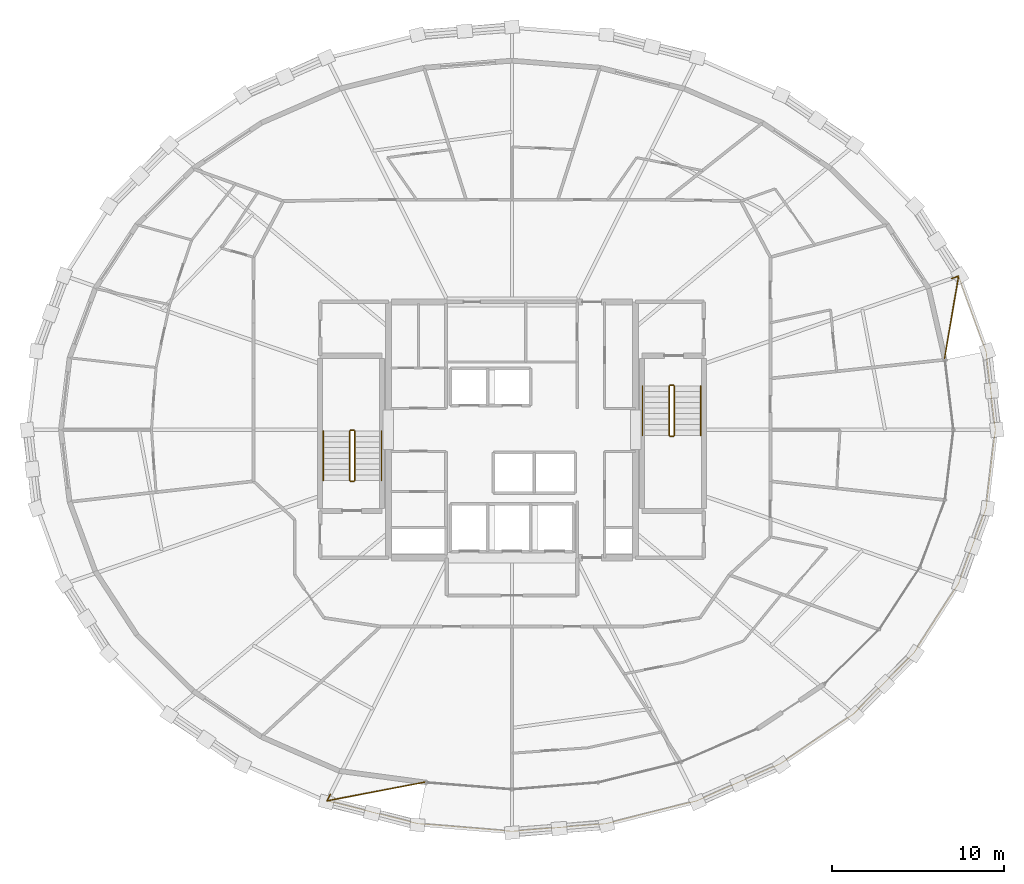
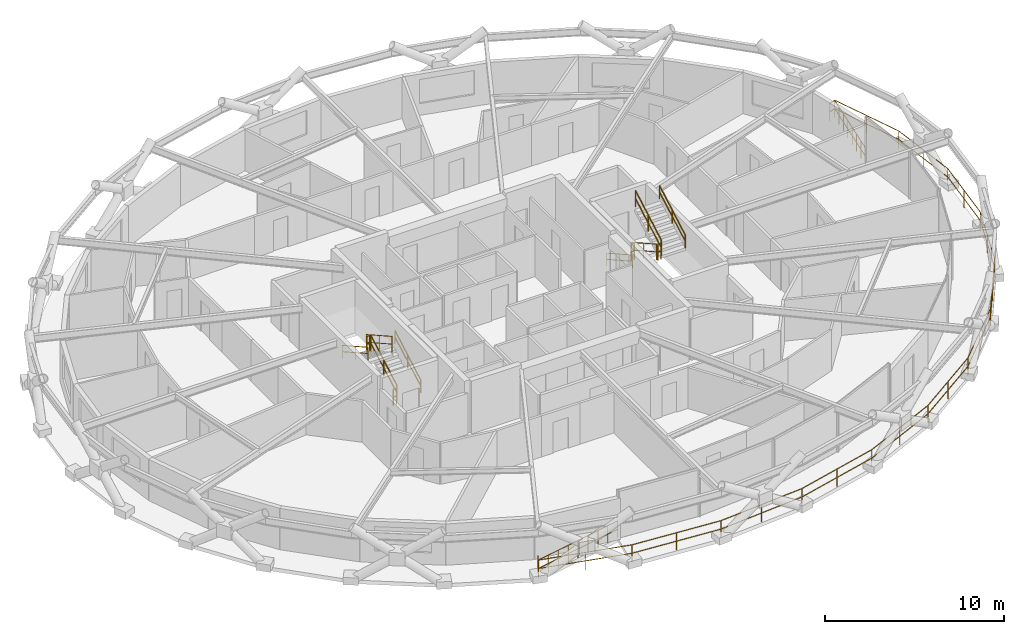
# One storey, part 19 of 19: 15 railings.
"""IFC4 building model written with IfcOpenShell, lengths in metres."""

from ifc_helpers import new_model, si_unit, direction, frame, origin, origin_2d, place, context, subcontext, project, spatial, circle, extrude, material, type_object, element, save


model = new_model("IFC4")

# Units and contexts
model_context = context("Model", 3, precision=1e-05, world=origin(), true_north=direction((0.0, 1.0)))
body_context = subcontext(model_context, "Body", "Model", "MODEL_VIEW")
ifc_project = project(units=[si_unit("LENGTHUNIT", "METRE"), si_unit("AREAUNIT", "SQUARE_METRE"), si_unit("VOLUMEUNIT", "CUBIC_METRE"), si_unit("PLANEANGLEUNIT", "RADIAN"), si_unit("MASSUNIT", "GRAM", prefix="KILO")], contexts=[model_context])

# Site, building, storey
site_placement = place(None, origin())
site = spatial("IfcSite", under=ifc_project, at=site_placement, CompositionType="ELEMENT")
building_placement = place(site_placement, origin())
building = spatial("IfcBuilding", under=site, at=building_placement, Name="Veldorina Hangang Commons", CompositionType="ELEMENT")
storey_placement = place(building_placement, frame((0.0, 0.0, 156.800048828125)))
storey = spatial("IfcBuildingStorey", under=building, at=storey_placement, Name="L40", CompositionType="ELEMENT", Elevation=156.800048828125)

# Railings
ifc_material_1 = material(Name="Glass Laminated Safety Balustrade", Category="glass")
railing_type_1 = type_object("IfcRailingType", Name="RL-BAL-LOGGIA", PredefinedType="BALUSTRADE", material=ifc_material_1)
railing_1_placement = place(storey_placement, frame((21.41796875, 2.769287109375, 0.0)))
element("IfcRailing", 1, at=railing_1_placement, inside=storey, type_object=railing_type_1, Name="L40 sky-garden loggia end balustrade A", PredefinedType="BALUSTRADE", context=body_context, shape_type="SweptSolid", body=[
    extrude(circle(Radius=0.02392578125, at=origin_2d()), frame((0.0, 0.0, 1.17578125), z_axis=(-0.445818053749, -0.895123602052, 0.0), x_axis=(0.895123602052, -0.445818053749, 0.0)), (0.0, 0.0, 1.0), 0.419921875),
    extrude(circle(Radius=0.02392578125, at=origin_2d()), frame((0.0, 0.0, 0.60009765625), z_axis=(-0.445818053749, -0.895123602052, 0.0), x_axis=(0.895123602052, -0.445818053749, 0.0)), (0.0, 0.0, 1.0), 0.419921875),
    extrude(circle(Radius=0.02392578125, at=origin_2d()), frame((-0.187255859375, -0.3759765625, 1.17578125), z_axis=(0.982151593727, 0.188091060234, 0.0), x_axis=(-0.188091060234, 0.982151593727, 0.0)), (0.0, 0.0, 1.0), 5.866943359375),
    extrude(circle(Radius=0.02392578125, at=origin_2d()), frame((-0.187255859375, -0.3759765625, 0.60009765625), z_axis=(0.982151593727, 0.188091060234, 0.0), x_axis=(-0.188091060234, 0.982151593727, 0.0)), (0.0, 0.0, 1.0), 5.866943359375),
    extrude(circle(Radius=0.02099609375, at=origin_2d()), origin(), (0.0, 0.0, 1.0), 1.15185546875),
    extrude(circle(Radius=0.02099609375, at=origin_2d()), frame((-0.187255859375, -0.3759765625, 0.0)), (0.0, 0.0, 1.0), 1.15185546875),
    extrude(circle(Radius=0.02099609375, at=origin_2d()), frame((0.532958984375, -0.238037109375, 0.0)), (0.0, 0.0, 1.0), 1.15185546875),
    extrude(circle(Radius=0.02099609375, at=origin_2d()), frame((1.25341796875, -0.10009765625, 0.0)), (0.0, 0.0, 1.0), 1.15185546875),
    extrude(circle(Radius=0.02099609375, at=origin_2d()), frame((1.9736328125, 0.037841796875, 0.0)), (0.0, 0.0, 1.0), 1.15185546875),
    extrude(circle(Radius=0.02099609375, at=origin_2d()), frame((2.69384765625, 0.17578125, 0.0)), (0.0, 0.0, 1.0), 1.15185546875),
    extrude(circle(Radius=0.02099609375, at=origin_2d()), frame((3.4140625, 0.313720703125, 0.0)), (0.0, 0.0, 1.0), 1.15185546875),
    extrude(circle(Radius=0.02099609375, at=origin_2d()), frame((4.13427734375, 0.45166015625, 0.0)), (0.0, 0.0, 1.0), 1.15185546875),
    extrude(circle(Radius=0.02099609375, at=origin_2d()), frame((4.854736328125, 0.589599609375, 0.0)), (0.0, 0.0, 1.0), 1.15185546875),
    extrude(circle(Radius=0.02099609375, at=origin_2d()), frame((5.574951171875, 0.7275390625, 0.0)), (0.0, 0.0, 1.0), 1.15185546875),
])
railing_2_placement = place(storey_placement, frame((57.61279296875, 32.816650390625, 0.0)))
element("IfcRailing", 2, at=railing_2_placement, inside=storey, type_object=railing_type_1, Name="L40 sky-garden loggia end balustrade B", PredefinedType="BALUSTRADE", context=body_context, shape_type="SweptSolid", body=[
    extrude(circle(Radius=0.02392578125, at=origin_2d()), frame((0.0, 0.0, 1.17578125), z_axis=(0.945558110535, 0.325453314013, 0.0), x_axis=(-0.325453314013, 0.945558110535, 0.0)), (0.0, 0.0, 1.0), 0.420166015625),
    extrude(circle(Radius=0.02392578125, at=origin_2d()), frame((0.0, 0.0, 0.60009765625), z_axis=(0.945558110535, 0.325453314013, 0.0), x_axis=(-0.325453314013, 0.945558110535, 0.0)), (0.0, 0.0, 1.0), 0.420166015625),
    extrude(circle(Radius=0.02392578125, at=origin_2d()), frame((0.397216796875, 0.13671875, 1.17578125), z_axis=(-0.167609413025, -0.985853480323, 0.0), x_axis=(0.985853480323, -0.167609413025, 0.0)), (0.0, 0.0, 1.0), 4.943603515625),
    extrude(circle(Radius=0.02392578125, at=origin_2d()), frame((0.397216796875, 0.13671875, 0.60009765625), z_axis=(-0.167609413025, -0.985853480323, 0.0), x_axis=(0.985853480323, -0.167609413025, 0.0)), (0.0, 0.0, 1.0), 4.943603515625),
    extrude(circle(Radius=0.02099609375, at=origin_2d()), origin(), (0.0, 0.0, 1.0), 1.15185546875),
    extrude(circle(Radius=0.02099609375, at=origin_2d()), frame((0.397216796875, 0.13671875, 0.0)), (0.0, 0.0, 1.0), 1.15185546875),
    extrude(circle(Radius=0.02099609375, at=origin_2d()), frame((0.27880859375, -0.5595703125, 0.0)), (0.0, 0.0, 1.0), 1.15185546875),
    extrude(circle(Radius=0.02099609375, at=origin_2d()), frame((0.160400390625, -1.255859375, 0.0)), (0.0, 0.0, 1.0), 1.15185546875),
    extrude(circle(Radius=0.02099609375, at=origin_2d()), frame((0.0419921875, -1.9521484375, 0.0)), (0.0, 0.0, 1.0), 1.15185546875),
    extrude(circle(Radius=0.02099609375, at=origin_2d()), frame((-0.076171875, -2.648193359375, 0.0)), (0.0, 0.0, 1.0), 1.15185546875),
    extrude(circle(Radius=0.02099609375, at=origin_2d()), frame((-0.194580078125, -3.344482421875, 0.0)), (0.0, 0.0, 1.0), 1.15185546875),
    extrude(circle(Radius=0.02099609375, at=origin_2d()), frame((-0.31298828125, -4.040771484375, 0.0)), (0.0, 0.0, 1.0), 1.15185546875),
    extrude(circle(Radius=0.02099609375, at=origin_2d()), frame((-0.431396484375, -4.737060546875, 0.0)), (0.0, 0.0, 1.0), 1.15185546875),
])
railing_3_placement = place(storey_placement, frame((21.230712890625, 2.393310546875, 0.0)))
element("IfcRailing", 3, at=railing_3_placement, inside=storey, type_object=railing_type_1, Name="L40 sky-garden loggia outer balustrade", PredefinedType="BALUSTRADE", context=body_context, shape_type="SweptSolid", body=[
    extrude(circle(Radius=0.02392578125, at=origin_2d()), frame((0.0, 0.0, 1.17578125), z_axis=(0.969742875139, -0.244128564729, 0.0), x_axis=(0.244128564729, 0.969742875139, 0.0)), (0.0, 0.0, 1.0), 5.4443359375),
    extrude(circle(Radius=0.02392578125, at=origin_2d()), frame((0.0, 0.0, 0.60009765625), z_axis=(0.969742875139, -0.244128564729, 0.0), x_axis=(0.244128564729, 0.969742875139, 0.0)), (0.0, 0.0, 1.0), 5.4443359375),
    extrude(circle(Radius=0.02392578125, at=origin_2d()), frame((5.279541015625, -1.3291015625, 1.17578125), z_axis=(0.996675954384, -0.081468042522, 0.0), x_axis=(0.081468042522, 0.996675954384, 0.0)), (0.0, 0.0, 1.0), 5.508056640625),
    extrude(circle(Radius=0.02392578125, at=origin_2d()), frame((5.279541015625, -1.3291015625, 0.60009765625), z_axis=(0.996675954384, -0.081468042522, 0.0), x_axis=(0.081468042522, 0.996675954384, 0.0)), (0.0, 0.0, 1.0), 5.508056640625),
    extrude(circle(Radius=0.02392578125, at=origin_2d()), frame((10.769287109375, -1.77783203125, 1.17578125), z_axis=(0.996675954384, 0.081468042522, 0.0), x_axis=(-0.081468042522, 0.996675954384, 0.0)), (0.0, 0.0, 1.0), 5.508056640625),
    extrude(circle(Radius=0.02392578125, at=origin_2d()), frame((10.769287109375, -1.77783203125, 0.60009765625), z_axis=(0.996675954384, 0.081468042522, 0.0), x_axis=(-0.081468042522, 0.996675954384, 0.0)), (0.0, 0.0, 1.0), 5.508056640625),
    extrude(circle(Radius=0.02392578125, at=origin_2d()), frame((16.259033203125, -1.3291015625, 1.17578125), z_axis=(0.969742875139, 0.244128564729, 0.0), x_axis=(-0.244128564729, 0.969742875139, 0.0)), (0.0, 0.0, 1.0), 5.4443359375),
    extrude(circle(Radius=0.02392578125, at=origin_2d()), frame((16.259033203125, -1.3291015625, 0.60009765625), z_axis=(0.969742875139, 0.244128564729, 0.0), x_axis=(-0.244128564729, 0.969742875139, 0.0)), (0.0, 0.0, 1.0), 5.4443359375),
    extrude(circle(Radius=0.02392578125, at=origin_2d()), frame((21.53857421875, 0.0, 1.17578125), z_axis=(0.91409116634, 0.405508741729, 0.0), x_axis=(-0.405508741729, 0.91409116634, 0.0)), (0.0, 0.0, 1.0), 5.32470703125),
    extrude(circle(Radius=0.02392578125, at=origin_2d()), frame((21.53857421875, 0.0, 0.60009765625), z_axis=(0.91409116634, 0.405508741729, 0.0), x_axis=(-0.405508741729, 0.91409116634, 0.0)), (0.0, 0.0, 1.0), 5.32470703125),
    extrude(circle(Radius=0.02392578125, at=origin_2d()), frame((26.40576171875, 2.1591796875, 1.17578125), z_axis=(0.826465366548, 0.562987564602, 0.0), x_axis=(-0.562987564602, 0.826465366548, 0.0)), (0.0, 0.0, 1.0), 5.1630859375),
    extrude(circle(Radius=0.02392578125, at=origin_2d()), frame((26.40576171875, 2.1591796875, 0.60009765625), z_axis=(0.826465366548, 0.562987564602, 0.0), x_axis=(-0.562987564602, 0.826465366548, 0.0)), (0.0, 0.0, 1.0), 5.1630859375),
    extrude(circle(Radius=0.02392578125, at=origin_2d()), frame((30.6728515625, 5.06591796875, 1.17578125), z_axis=(0.703028223531, 0.711161948447, 0.0), x_axis=(-0.711161948447, 0.703028223531, 0.0)), (0.0, 0.0, 1.0), 4.982666015625),
    extrude(circle(Radius=0.02392578125, at=origin_2d()), frame((30.6728515625, 5.06591796875, 0.60009765625), z_axis=(0.703028223531, 0.711161948447, 0.0), x_axis=(-0.711161948447, 0.703028223531, 0.0)), (0.0, 0.0, 1.0), 4.982666015625),
    extrude(circle(Radius=0.02392578125, at=origin_2d()), frame((34.17578125, 8.609375, 1.17578125), z_axis=(0.541321894792, 0.840815441235, 0.0), x_axis=(-0.840815441235, 0.541321894792, 0.0)), (0.0, 0.0, 1.0), 4.8095703125),
    extrude(circle(Radius=0.02392578125, at=origin_2d()), frame((34.17578125, 8.609375, 0.60009765625), z_axis=(0.541321894792, 0.840815441235, 0.0), x_axis=(-0.840815441235, 0.541321894792, 0.0)), (0.0, 0.0, 1.0), 4.8095703125),
    extrude(circle(Radius=0.02392578125, at=origin_2d()), frame((36.779296875, 12.6533203125, 1.17578125), z_axis=(0.343185861071, 0.939267515014, 0.0), x_axis=(-0.939267515014, 0.343185861071, 0.0)), (0.0, 0.0, 1.0), 4.67236328125),
    extrude(circle(Radius=0.02392578125, at=origin_2d()), frame((36.779296875, 12.6533203125, 0.60009765625), z_axis=(0.343185861071, 0.939267515014, 0.0), x_axis=(-0.939267515014, 0.343185861071, 0.0)), (0.0, 0.0, 1.0), 4.67236328125),
    extrude(circle(Radius=0.02392578125, at=origin_2d()), frame((38.3828125, 17.0419921875, 1.17578125), z_axis=(0.11775027327, 0.993043238306, 0.0), x_axis=(-0.993043238306, 0.11775027327, 0.0)), (0.0, 0.0, 1.0), 4.5966796875),
    extrude(circle(Radius=0.02392578125, at=origin_2d()), frame((38.3828125, 17.0419921875, 0.60009765625), z_axis=(0.11775027327, 0.993043238306, 0.0), x_axis=(-0.993043238306, 0.11775027327, 0.0)), (0.0, 0.0, 1.0), 4.5966796875),
    extrude(circle(Radius=0.02392578125, at=origin_2d()), frame((38.924072265625, 21.606689453125, 1.17578125), z_axis=(-0.11775027327, 0.993043238306, 0.0), x_axis=(-0.993043238306, -0.11775027327, 0.0)), (0.0, 0.0, 1.0), 4.5966796875),
    extrude(circle(Radius=0.02392578125, at=origin_2d()), frame((38.924072265625, 21.606689453125, 0.60009765625), z_axis=(-0.11775027327, 0.993043238306, 0.0), x_axis=(-0.993043238306, -0.11775027327, 0.0)), (0.0, 0.0, 1.0), 4.5966796875),
    extrude(circle(Radius=0.02392578125, at=origin_2d()), frame((38.3828125, 26.17138671875, 1.17578125), z_axis=(-0.343185861071, 0.939267515014, 0.0), x_axis=(-0.939267515014, -0.343185861071, 0.0)), (0.0, 0.0, 1.0), 4.67236328125),
    extrude(circle(Radius=0.02392578125, at=origin_2d()), frame((38.3828125, 26.17138671875, 0.60009765625), z_axis=(-0.343185861071, 0.939267515014, 0.0), x_axis=(-0.939267515014, -0.343185861071, 0.0)), (0.0, 0.0, 1.0), 4.67236328125),
    extrude(circle(Radius=0.02099609375, at=origin_2d()), origin(), (0.0, 0.0, 1.0), 1.15185546875),
    extrude(circle(Radius=0.02099609375, at=origin_2d()), frame((2.6396484375, -0.66455078125, 0.0)), (0.0, 0.0, 1.0), 1.15185546875),
    extrude(circle(Radius=0.02099609375, at=origin_2d()), frame((5.279541015625, -1.3291015625, 0.0)), (0.0, 0.0, 1.0), 1.15185546875),
    extrude(circle(Radius=0.02099609375, at=origin_2d()), frame((8.0244140625, -1.553466796875, 0.0)), (0.0, 0.0, 1.0), 1.15185546875),
    extrude(circle(Radius=0.02099609375, at=origin_2d()), frame((10.769287109375, -1.77783203125, 0.0)), (0.0, 0.0, 1.0), 1.15185546875),
    extrude(circle(Radius=0.02099609375, at=origin_2d()), frame((13.51416015625, -1.553466796875, 0.0)), (0.0, 0.0, 1.0), 1.15185546875),
    extrude(circle(Radius=0.02099609375, at=origin_2d()), frame((16.259033203125, -1.3291015625, 0.0)), (0.0, 0.0, 1.0), 1.15185546875),
    extrude(circle(Radius=0.02099609375, at=origin_2d()), frame((18.89892578125, -0.66455078125, 0.0)), (0.0, 0.0, 1.0), 1.15185546875),
    extrude(circle(Radius=0.02099609375, at=origin_2d()), frame((21.53857421875, 0.0, 0.0)), (0.0, 0.0, 1.0), 1.15185546875),
    extrude(circle(Radius=0.02099609375, at=origin_2d()), frame((23.97216796875, 1.07958984375, 0.0)), (0.0, 0.0, 1.0), 1.15185546875),
    extrude(circle(Radius=0.02099609375, at=origin_2d()), frame((26.40576171875, 2.1591796875, 0.0)), (0.0, 0.0, 1.0), 1.15185546875),
    extrude(circle(Radius=0.02099609375, at=origin_2d()), frame((28.539306640625, 3.612548828125, 0.0)), (0.0, 0.0, 1.0), 1.15185546875),
    extrude(circle(Radius=0.02099609375, at=origin_2d()), frame((30.6728515625, 5.06591796875, 0.0)), (0.0, 0.0, 1.0), 1.15185546875),
    extrude(circle(Radius=0.02099609375, at=origin_2d()), frame((32.42431640625, 6.837646484375, 0.0)), (0.0, 0.0, 1.0), 1.15185546875),
    extrude(circle(Radius=0.02099609375, at=origin_2d()), frame((34.17578125, 8.609375, 0.0)), (0.0, 0.0, 1.0), 1.15185546875),
    extrude(circle(Radius=0.02099609375, at=origin_2d()), frame((35.4775390625, 10.63134765625, 0.0)), (0.0, 0.0, 1.0), 1.15185546875),
    extrude(circle(Radius=0.02099609375, at=origin_2d()), frame((36.779296875, 12.6533203125, 0.0)), (0.0, 0.0, 1.0), 1.15185546875),
    extrude(circle(Radius=0.02099609375, at=origin_2d()), frame((37.5810546875, 14.84765625, 0.0)), (0.0, 0.0, 1.0), 1.15185546875),
    extrude(circle(Radius=0.02099609375, at=origin_2d()), frame((38.3828125, 17.0419921875, 0.0)), (0.0, 0.0, 1.0), 1.15185546875),
    extrude(circle(Radius=0.02099609375, at=origin_2d()), frame((38.6533203125, 19.32421875, 0.0)), (0.0, 0.0, 1.0), 1.15185546875),
    extrude(circle(Radius=0.02099609375, at=origin_2d()), frame((38.924072265625, 21.606689453125, 0.0)), (0.0, 0.0, 1.0), 1.15185546875),
    extrude(circle(Radius=0.02099609375, at=origin_2d()), frame((38.6533203125, 23.88916015625, 0.0)), (0.0, 0.0, 1.0), 1.15185546875),
    extrude(circle(Radius=0.02099609375, at=origin_2d()), frame((38.3828125, 26.17138671875, 0.0)), (0.0, 0.0, 1.0), 1.15185546875),
    extrude(circle(Radius=0.02099609375, at=origin_2d()), frame((37.5810546875, 28.36572265625, 0.0)), (0.0, 0.0, 1.0), 1.15185546875),
    extrude(circle(Radius=0.02099609375, at=origin_2d()), frame((36.779296875, 30.56005859375, 0.0)), (0.0, 0.0, 1.0), 1.15185546875),
])
ifc_material_2 = material(Name="Steel Painted Balustrade", Category="steel")
railing_type_2 = type_object("IfcRailingType", Name="RL-GRD-STAIR", PredefinedType="GUARDRAIL", material=ifc_material_2)
railing_4_placement = place(storey_placement, frame((22.85009765625, 21.050048828125, 0.179931640625)))
element("IfcRailing", 4, at=railing_4_placement, inside=storey, type_object=railing_type_2, Name="L40 ST-1 stair guard 1", PredefinedType="GUARDRAIL", context=body_context, shape_type="SweptSolid", body=[
    extrude(circle(Radius=0.02392578125, at=origin_2d()), frame((0.0, 0.0, 1.076171875), z_axis=(0.0, 0.87155185771, 0.490303333991), x_axis=(-1.0, 0.0, 0.0)), (0.0, 0.0, 1.0), 3.30419921875),
    extrude(circle(Radius=0.02392578125, at=origin_2d()), frame((0.0, 0.0, 0.550048828125), z_axis=(0.0, 0.87155185771, 0.490303333991), x_axis=(-1.0, 0.0, 0.0)), (0.0, 0.0, 1.0), 3.30419921875),
    extrude(circle(Radius=0.02099609375, at=origin_2d()), origin(), (0.0, 0.0, 1.0), 1.052001953125),
    extrude(circle(Radius=0.02099609375, at=origin_2d()), frame((0.0, 1.43994140625, 0.81005859375)), (0.0, 0.0, 1.0), 1.052001953125),
    extrude(circle(Radius=0.02099609375, at=origin_2d()), frame((0.0, 2.8798828125, 1.6201171875)), (0.0, 0.0, 1.0), 1.052001953125),
])
railing_5_placement = place(storey_placement, frame((22.800048828125, 23.97998046875, 1.800048828125)))
element("IfcRailing", 5, at=railing_5_placement, inside=storey, type_object=railing_type_2, Name="L40 ST-1 stair guard 2", PredefinedType="GUARDRAIL", context=body_context, shape_type="SweptSolid", body=[
    extrude(circle(Radius=0.02392578125, at=origin_2d()), frame((0.0, 0.0, 1.076171875), z_axis=(-1.0, 0.0, 0.0), x_axis=(0.0, -1.0, 0.0)), (0.0, 0.0, 1.0), 0.199951171875),
    extrude(circle(Radius=0.02392578125, at=origin_2d()), frame((0.0, 0.0, 0.550048828125), z_axis=(-1.0, 0.0, 0.0), x_axis=(0.0, -1.0, 0.0)), (0.0, 0.0, 1.0), 0.199951171875),
    extrude(circle(Radius=0.02099609375, at=origin_2d()), origin(), (0.0, 0.0, 1.0), 1.052001953125),
    extrude(circle(Radius=0.02099609375, at=origin_2d()), frame((-0.199951171875, 0.0, 0.0)), (0.0, 0.0, 1.0), 1.052001953125),
])
railing_6_placement = place(storey_placement, frame((22.550048828125, 23.929931640625, 1.97998046875)))
element("IfcRailing", 6, at=railing_6_placement, inside=storey, type_object=railing_type_2, Name="L40 ST-1 stair guard 3", PredefinedType="GUARDRAIL", context=body_context, shape_type="SweptSolid", body=[
    extrude(circle(Radius=0.02392578125, at=origin_2d()), frame((0.0, 0.0, 1.076171875), z_axis=(0.0, -0.871583430097, 0.490247207417), x_axis=(1.0, 0.0, 0.0)), (0.0, 0.0, 1.0), 3.30419921875),
    extrude(circle(Radius=0.02392578125, at=origin_2d()), frame((0.0, 0.0, 0.550048828125), z_axis=(0.0, -0.871583430097, 0.490247207417), x_axis=(1.0, 0.0, 0.0)), (0.0, 0.0, 1.0), 3.30419921875),
    extrude(circle(Radius=0.02099609375, at=origin_2d()), origin(), (0.0, 0.0, 1.0), 1.052001953125),
    extrude(circle(Radius=0.02099609375, at=origin_2d()), frame((0.0, -1.43994140625, 0.81005859375)), (0.0, 0.0, 1.0), 1.052001953125),
    extrude(circle(Radius=0.02099609375, at=origin_2d()), frame((0.0, -2.8798828125, 1.619873046875)), (0.0, 0.0, 1.0), 1.052001953125),
])
railing_7_placement = place(storey_placement, frame((22.800048828125, 21.0, 0.0)))
element("IfcRailing", 7, at=railing_7_placement, inside=storey, type_object=railing_type_2, Name="L40 ST-1 stair guard 4", PredefinedType="GUARDRAIL", context=body_context, shape_type="SweptSolid", body=[
    extrude(circle(Radius=0.02392578125, at=origin_2d()), frame((0.0, 0.0, 1.076171875), z_axis=(-1.0, 0.0, 0.0), x_axis=(0.0, -1.0, 0.0)), (0.0, 0.0, 1.0), 0.199951171875),
    extrude(circle(Radius=0.02392578125, at=origin_2d()), frame((0.0, 0.0, 0.550048828125), z_axis=(-1.0, 0.0, 0.0), x_axis=(0.0, -1.0, 0.0)), (0.0, 0.0, 1.0), 0.199951171875),
    extrude(circle(Radius=0.02099609375, at=origin_2d()), origin(), (0.0, 0.0, 1.0), 1.052001953125),
    extrude(circle(Radius=0.02099609375, at=origin_2d()), frame((-0.199951171875, 0.0, 0.0)), (0.0, 0.0, 1.0), 1.052001953125),
])
railing_8_placement = place(storey_placement, frame((41.14990234375, 26.550048828125, 0.179931640625)))
element("IfcRailing", 8, at=railing_8_placement, inside=storey, type_object=railing_type_2, Name="L40 ST-2 stair guard 1", PredefinedType="GUARDRAIL", context=body_context, shape_type="SweptSolid", body=[
    extrude(circle(Radius=0.02392578125, at=origin_2d()), frame((0.0, 0.0, 1.076171875), z_axis=(0.0, -0.871569617843, 0.490271762652), x_axis=(1.0, 0.0, 0.0)), (0.0, 0.0, 1.0), 3.304443359375),
    extrude(circle(Radius=0.02392578125, at=origin_2d()), frame((0.0, 0.0, 0.550048828125), z_axis=(0.0, -0.871569617843, 0.490271762652), x_axis=(1.0, 0.0, 0.0)), (0.0, 0.0, 1.0), 3.304443359375),
    extrude(circle(Radius=0.02099609375, at=origin_2d()), origin(), (0.0, 0.0, 1.0), 1.052001953125),
    extrude(circle(Radius=0.02099609375, at=origin_2d()), frame((0.0, -1.43994140625, 0.81005859375)), (0.0, 0.0, 1.0), 1.052001953125),
    extrude(circle(Radius=0.02099609375, at=origin_2d()), frame((0.0, -2.880126953125, 1.6201171875)), (0.0, 0.0, 1.0), 1.052001953125),
])
railing_9_placement = place(storey_placement, frame((41.199951171875, 23.6201171875, 1.800048828125)))
element("IfcRailing", 9, at=railing_9_placement, inside=storey, type_object=railing_type_2, Name="L40 ST-2 stair guard 2", PredefinedType="GUARDRAIL", context=body_context, shape_type="SweptSolid", body=[
    extrude(circle(Radius=0.02392578125, at=origin_2d()), frame((0.0, 0.0, 1.076171875), z_axis=(1.0, 0.0, 0.0), x_axis=(0.0, 1.0, 0.0)), (0.0, 0.0, 1.0), 0.199951171875),
    extrude(circle(Radius=0.02392578125, at=origin_2d()), frame((0.0, 0.0, 0.550048828125), z_axis=(1.0, 0.0, 0.0), x_axis=(0.0, 1.0, 0.0)), (0.0, 0.0, 1.0), 0.199951171875),
    extrude(circle(Radius=0.02099609375, at=origin_2d()), origin(), (0.0, 0.0, 1.0), 1.052001953125),
    extrude(circle(Radius=0.02099609375, at=origin_2d()), frame((0.199951171875, 0.0, 0.0)), (0.0, 0.0, 1.0), 1.052001953125),
])
railing_10_placement = place(storey_placement, frame((41.449951171875, 23.669921875, 1.97998046875)))
element("IfcRailing", 10, at=railing_10_placement, inside=storey, type_object=railing_type_2, Name="L40 ST-2 stair guard 3", PredefinedType="GUARDRAIL", context=body_context, shape_type="SweptSolid", body=[
    extrude(circle(Radius=0.02392578125, at=origin_2d()), frame((0.0, 0.0, 1.076171875), z_axis=(0.0, 0.871601186807, 0.490215637405), x_axis=(-1.0, 0.0, 0.0)), (0.0, 0.0, 1.0), 3.304443359375),
    extrude(circle(Radius=0.02392578125, at=origin_2d()), frame((0.0, 0.0, 0.550048828125), z_axis=(0.0, 0.871601186807, 0.490215637405), x_axis=(-1.0, 0.0, 0.0)), (0.0, 0.0, 1.0), 3.304443359375),
    extrude(circle(Radius=0.02099609375, at=origin_2d()), origin(), (0.0, 0.0, 1.0), 1.052001953125),
    extrude(circle(Radius=0.02099609375, at=origin_2d()), frame((0.0, 1.43994140625, 0.81005859375)), (0.0, 0.0, 1.0), 1.052001953125),
    extrude(circle(Radius=0.02099609375, at=origin_2d()), frame((0.0, 2.880126953125, 1.619873046875)), (0.0, 0.0, 1.0), 1.052001953125),
])
railing_11_placement = place(storey_placement, frame((41.199951171875, 26.60009765625, 0.0)))
element("IfcRailing", 11, at=railing_11_placement, inside=storey, type_object=railing_type_2, Name="L40 ST-2 stair guard 4", PredefinedType="GUARDRAIL", context=body_context, shape_type="SweptSolid", body=[
    extrude(circle(Radius=0.02392578125, at=origin_2d()), frame((0.0, 0.0, 1.076171875), z_axis=(1.0, 0.0, 0.0), x_axis=(0.0, 1.0, 0.0)), (0.0, 0.0, 1.0), 0.199951171875),
    extrude(circle(Radius=0.02392578125, at=origin_2d()), frame((0.0, 0.0, 0.550048828125), z_axis=(1.0, 0.0, 0.0), x_axis=(0.0, 1.0, 0.0)), (0.0, 0.0, 1.0), 0.199951171875),
    extrude(circle(Radius=0.02099609375, at=origin_2d()), origin(), (0.0, 0.0, 1.0), 1.052001953125),
    extrude(circle(Radius=0.02099609375, at=origin_2d()), frame((0.199951171875, 0.0, 0.0)), (0.0, 0.0, 1.0), 1.052001953125),
])
ifc_material_3 = material(Name="Stainless Steel Brushed 316", Category="steel")
railing_type_3 = type_object("IfcRailingType", Name="RL-HND-STAIR", PredefinedType="HANDRAIL", material=ifc_material_3)
railing_12_placement = place(storey_placement, frame((24.39990234375, 21.050048828125, 0.179931640625)))
element("IfcRailing", 12, at=railing_12_placement, inside=storey, type_object=railing_type_3, Name="L40 ST-1 stair handrail 1", PredefinedType="HANDRAIL", context=body_context, shape_type="SweptSolid", body=[
    extrude(circle(Radius=0.02392578125, at=origin_2d()), frame((0.0, 0.0, 0.8759765625), z_axis=(0.0, 0.87155185771, 0.490303333991), x_axis=(-1.0, 0.0, 0.0)), (0.0, 0.0, 1.0), 3.30419921875),
    extrude(circle(Radius=0.02392578125, at=origin_2d()), frame((0.0, 0.0, 0.449951171875), z_axis=(0.0, 0.87155185771, 0.490303333991), x_axis=(-1.0, 0.0, 0.0)), (0.0, 0.0, 1.0), 3.30419921875),
    extrude(circle(Radius=0.02099609375, at=origin_2d()), origin(), (0.0, 0.0, 1.0), 0.851806640625),
    extrude(circle(Radius=0.02099609375, at=origin_2d()), frame((0.0, 1.43994140625, 0.81005859375)), (0.0, 0.0, 1.0), 0.851806640625),
    extrude(circle(Radius=0.02099609375, at=origin_2d()), frame((0.0, 2.8798828125, 1.6201171875)), (0.0, 0.0, 1.0), 0.851806640625),
])
railing_13_placement = place(storey_placement, frame((21.0, 23.929931640625, 1.97998046875)))
element("IfcRailing", 13, at=railing_13_placement, inside=storey, type_object=railing_type_3, Name="L40 ST-1 stair handrail 2", PredefinedType="HANDRAIL", context=body_context, shape_type="SweptSolid", body=[
    extrude(circle(Radius=0.02392578125, at=origin_2d()), frame((0.0, 0.0, 0.8759765625), z_axis=(0.0, -0.871583430097, 0.490247207417), x_axis=(1.0, 0.0, 0.0)), (0.0, 0.0, 1.0), 3.30419921875),
    extrude(circle(Radius=0.02392578125, at=origin_2d()), frame((0.0, 0.0, 0.449951171875), z_axis=(0.0, -0.871583430097, 0.490247207417), x_axis=(1.0, 0.0, 0.0)), (0.0, 0.0, 1.0), 3.30419921875),
    extrude(circle(Radius=0.02099609375, at=origin_2d()), origin(), (0.0, 0.0, 1.0), 0.851806640625),
    extrude(circle(Radius=0.02099609375, at=origin_2d()), frame((0.0, -1.43994140625, 0.81005859375)), (0.0, 0.0, 1.0), 0.851806640625),
    extrude(circle(Radius=0.02099609375, at=origin_2d()), frame((0.0, -2.8798828125, 1.619873046875)), (0.0, 0.0, 1.0), 0.851806640625),
])
railing_14_placement = place(storey_placement, frame((39.60009765625, 26.550048828125, 0.179931640625)))
element("IfcRailing", 14, at=railing_14_placement, inside=storey, type_object=railing_type_3, Name="L40 ST-2 stair handrail 1", PredefinedType="HANDRAIL", context=body_context, shape_type="SweptSolid", body=[
    extrude(circle(Radius=0.02392578125, at=origin_2d()), frame((0.0, 0.0, 0.8759765625), z_axis=(0.0, -0.871569617843, 0.490271762652), x_axis=(1.0, 0.0, 0.0)), (0.0, 0.0, 1.0), 3.304443359375),
    extrude(circle(Radius=0.02392578125, at=origin_2d()), frame((0.0, 0.0, 0.449951171875), z_axis=(0.0, -0.871569617843, 0.490271762652), x_axis=(1.0, 0.0, 0.0)), (0.0, 0.0, 1.0), 3.304443359375),
    extrude(circle(Radius=0.02099609375, at=origin_2d()), origin(), (0.0, 0.0, 1.0), 0.851806640625),
    extrude(circle(Radius=0.02099609375, at=origin_2d()), frame((0.0, -1.43994140625, 0.81005859375)), (0.0, 0.0, 1.0), 0.851806640625),
    extrude(circle(Radius=0.02099609375, at=origin_2d()), frame((0.0, -2.880126953125, 1.6201171875)), (0.0, 0.0, 1.0), 0.851806640625),
])
railing_15_placement = place(storey_placement, frame((43.0, 23.669921875, 1.97998046875)))
element("IfcRailing", 15, at=railing_15_placement, inside=storey, type_object=railing_type_3, Name="L40 ST-2 stair handrail 2", PredefinedType="HANDRAIL", context=body_context, shape_type="SweptSolid", body=[
    extrude(circle(Radius=0.02392578125, at=origin_2d()), frame((0.0, 0.0, 0.8759765625), z_axis=(0.0, 0.871601186807, 0.490215637405), x_axis=(-1.0, 0.0, 0.0)), (0.0, 0.0, 1.0), 3.304443359375),
    extrude(circle(Radius=0.02392578125, at=origin_2d()), frame((0.0, 0.0, 0.449951171875), z_axis=(0.0, 0.871601186807, 0.490215637405), x_axis=(-1.0, 0.0, 0.0)), (0.0, 0.0, 1.0), 3.304443359375),
    extrude(circle(Radius=0.02099609375, at=origin_2d()), origin(), (0.0, 0.0, 1.0), 0.851806640625),
    extrude(circle(Radius=0.02099609375, at=origin_2d()), frame((0.0, 1.43994140625, 0.81005859375)), (0.0, 0.0, 1.0), 0.851806640625),
    extrude(circle(Radius=0.02099609375, at=origin_2d()), frame((0.0, 2.880126953125, 1.619873046875)), (0.0, 0.0, 1.0), 0.851806640625),
])

save(model, "model.ifc")
